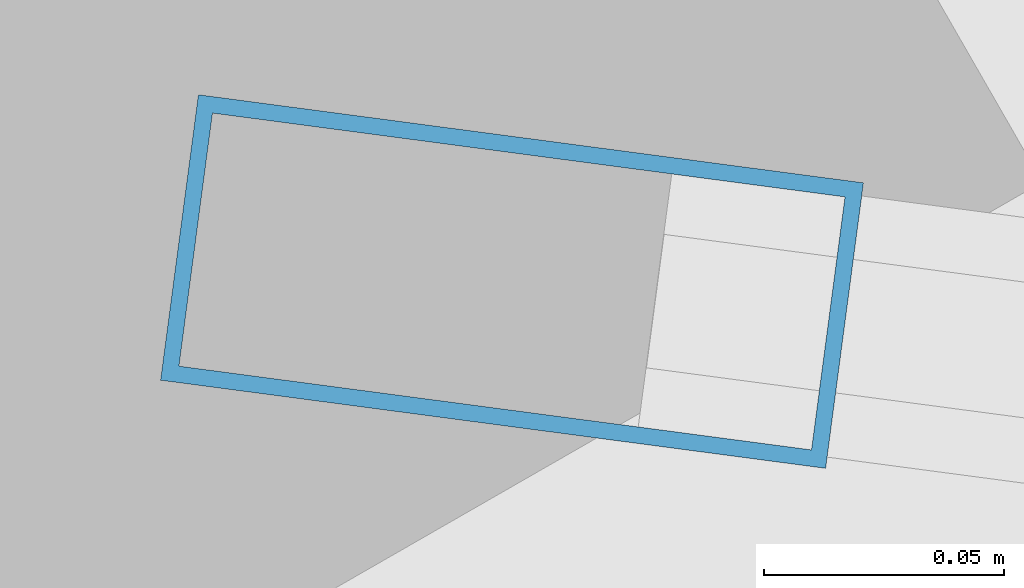
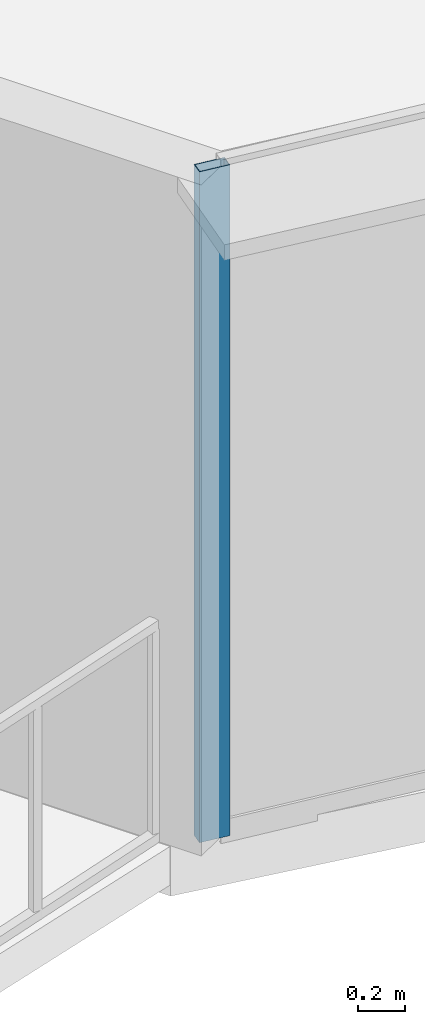
# One storey, part 2 of 39: 1 member, 1 element without a shape of its own.
"""IFC4 building model written with IfcOpenShell, lengths in metres."""

from ifc_helpers import new_model, si_unit, direction, frame, origin, origin_2d, place, context, subcontext, project, spatial, hollow_rectangle, extrude, source, transform, mapped, material, layer, layer_set, material_profile, profile_set, type_object, element, aggregate, save


model = new_model("IFC4")

# Units and contexts
model_context = context("Model", 3, precision=1e-05, world=origin(), true_north=direction((0.0, 1.0)))
body_context = subcontext(model_context, "Body", "Model", "MODEL_VIEW")
ifc_project = project(units=[si_unit("LENGTHUNIT", "METRE"), si_unit("AREAUNIT", "SQUARE_METRE"), si_unit("VOLUMEUNIT", "CUBIC_METRE"), si_unit("PLANEANGLEUNIT", "RADIAN"), si_unit("MASSUNIT", "GRAM", prefix="KILO"), si_unit("THERMODYNAMICTEMPERATUREUNIT", "KELVIN"), si_unit("POWERUNIT", "WATT")], contexts=[model_context])

# Site, building, storey
site_placement = place(None, origin())
site = spatial("IfcSite", under=ifc_project, at=site_placement, CompositionType="ELEMENT")
building_placement = place(site_placement, origin())
building = spatial("IfcBuilding", under=site, at=building_placement, Name="Yunzhuo Pagoda Commons", CompositionType="ELEMENT")
storey_placement = place(building_placement, frame((0.0, 0.0, 285.02001953125)))
storey = spatial("IfcBuildingStorey", under=building, at=storey_placement, Name="L71", CompositionType="ELEMENT", Elevation=285.02001953125)

# Curtain wall, member
ifc_material = material(Name="Anodized aluminium 6063-T6", Category="aluminium")
ifc_layer = layer(ifc_material, 0.139892578125)
ifc_layer_set = layer_set([ifc_layer], Name="Anodized aluminium 6063-T6")
curtain_wall_type = type_object("IfcCurtainWallType", Name="CW-HI High-Zone Ribbon Curtain Wall", PredefinedType="NOTDEFINED", material=ifc_layer_set)
curtain_wall_placement = place(storey_placement, origin())
curtain_wall = element("IfcCurtainWall", 1, at=curtain_wall_placement, inside=storey, type_object=curtain_wall_type, Name="L71 curtain wall CW-L71-F1B1", PredefinedType="NOTDEFINED")
ifc_material_profile = material_profile(ifc_material, hollow_rectangle(XDim=0.06005859375, YDim=0.139892578125, WallThickness=0.00341796875, at=origin_2d()), Name="Anodized aluminium 6063-T6")
ifc_profile_set = profile_set([ifc_material_profile], Name="Anodized aluminium 6063-T6")
member_type = type_object("IfcMemberType", Name="CW-HI-M Mullion RHS 140x60x3.5", PredefinedType="MULLION", material=ifc_profile_set)
shared_shape = source(origin(), body_context, "Body", "SweptSolid", [
    extrude(hollow_rectangle(XDim=0.06005859375, YDim=0.139892578125, WallThickness=0.00341796875, at=origin_2d()), origin(), (0.0, 0.0, 1.0), 3.4697265625),
])
member_placement = place(storey_placement, frame((19.035888671875, 20.89306640625, 0.000244140625), z_axis=(0.0, 0.0, 1.0), x_axis=(0.131311416098, 0.991341168318, 0.0)))
member = element("IfcMember", 2, at=member_placement, type_object=member_type, Name="CW mullion 1", PredefinedType="MULLION", context=body_context, shape_type="MappedRepresentation", body=[
    mapped(shared_shape, transform((0.0, 0.0, 0.0), scale=1.0)),
])
aggregate(curtain_wall, [member])

save(model, "model.ifc")
